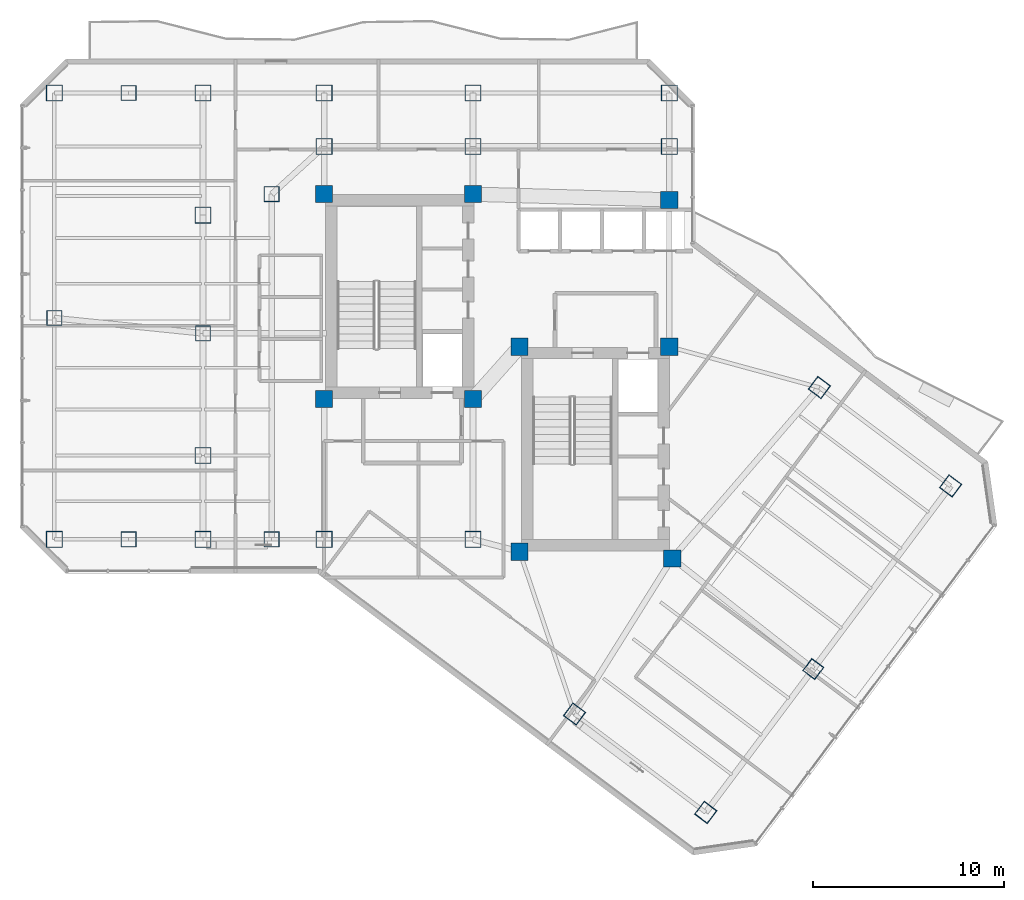
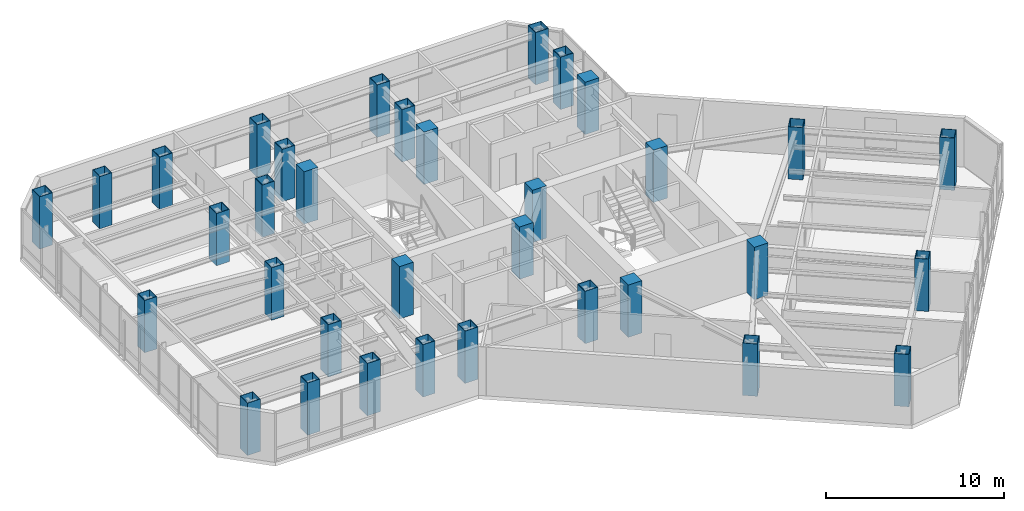
# One storey, part 1 of 28: 34 columns.
"""IFC4 building model written with IfcOpenShell, lengths in metres."""

from ifc_helpers import new_model, si_unit, direction, frame, origin, origin_2d, place, context, subcontext, project, spatial, rectangle, hollow_rectangle, extrude, material, material_profile, profile_set, type_object, element, save


model = new_model("IFC4")

# Units and contexts
model_context = context("Model", 3, precision=1e-05, world=origin(), true_north=direction((0.0, 1.0)))
body_context = subcontext(model_context, "Body", "Model", "MODEL_VIEW")
ifc_project = project(units=[si_unit("LENGTHUNIT", "METRE"), si_unit("AREAUNIT", "SQUARE_METRE"), si_unit("VOLUMEUNIT", "CUBIC_METRE"), si_unit("PLANEANGLEUNIT", "RADIAN"), si_unit("MASSUNIT", "GRAM", prefix="KILO")], contexts=[model_context])

# Site, building, storey
site_placement = place(None, origin())
site = spatial("IfcSite", under=ifc_project, at=site_placement, CompositionType="ELEMENT")
building_placement = place(site_placement, origin())
building = spatial("IfcBuilding", under=site, at=building_placement, Name="Hatsunagi Terrace Concourse", CompositionType="ELEMENT")
storey_placement = place(building_placement, frame((0.0, 0.0, 160.050048828125)))
storey = spatial("IfcBuildingStorey", under=building, at=storey_placement, Name="L42", CompositionType="ELEMENT", Elevation=160.050048828125)

# Columns
ifc_material_1 = material(Name="Concrete Fc48", Category="concrete")
ifc_material_profile_1 = material_profile(ifc_material_1, rectangle(XDim=0.89990234375, YDim=0.89990234375, at=origin_2d()), Name="RC-900x900")
ifc_profile_set_1 = profile_set([ifc_material_profile_1], Name="Concrete Fc48")
column_type_1 = type_object("IfcColumnType", Name="CoreColumn_RC_900x900", PredefinedType="COLUMN", material=ifc_profile_set_1)
for number, where, z_axis, x_axis, name in (
    (1, (25.550048828125, 32.550048828125, 0.0), (0.0, 0.0, 1.0), (1.0, 0.0, 0.0), "Column C-02 L42-CASW"),
    (2, (33.35009765625, 32.550048828125, 0.0), (0.0, 0.0, 1.0), (1.0, 0.0, 0.0), "Column C-02 L42-CASE"),
    (3, (25.550048828125, 43.300048828125, 0.0), (0.0, 0.0, 1.0), (1.0, 0.0, 0.0), "Column C-02 L42-CANW"),
    (4, (33.35009765625, 43.300048828125, 0.0), (0.0, 0.0, 1.0), (1.0, 0.0, 0.0), "Column C-02 L42-CANE"),
    (5, (35.800048828125, 24.550048828125, 0.0), (0.0, 0.0, 1.0), (1.0, 0.0, 0.0), "Column C-02 L42-CBSW"),
    (6, (43.800048828125, 24.199951171875, 0.0), (0.0, 0.0, 1.0), (1.0, 0.0, 0.0), "Column C-02 L42-CBSE"),
    (7, (35.800048828125, 35.300048828125, 0.0), (0.0, 0.0, 1.0), (1.0, 0.0, 0.0), "Column C-02 L42-CBNW"),
    (8, (43.64990234375, 35.300048828125, 0.0), (0.0, 0.0, 1.0), (1.0, 0.0, 0.0), "Column C-02 L42-CBNE"),
    (9, (43.64990234375, 43.0, 0.0), (0.0, 0.0, 1.0), (1.0, 0.0, 0.0), "Column C-02 L42-K3"),
):
    element("IfcColumn", number, at=place(storey_placement, frame(where, z_axis=z_axis, x_axis=x_axis)), inside=storey, type_object=column_type_1, Name=name, PredefinedType="COLUMN", context=body_context, shape_type="SweptSolid", body=[
        extrude(rectangle(XDim=0.89990234375, YDim=0.89990234375, at=origin_2d()), origin(), (0.0, 0.0, 1.0), 3.599853515625),
    ])
ifc_material_2 = material(Name="Steel BCP325T", Category="steel")
ifc_material_profile_2 = material_profile(ifc_material_2, hollow_rectangle(XDim=0.800048828125, YDim=0.800048828125, WallThickness=0.031982421875, at=origin_2d()), Name="BCP-800x800x32")
ifc_profile_set_2 = profile_set([ifc_material_profile_2], Name="Steel BCP325T")
column_type_2 = type_object("IfcColumnType", Name="TowerBoxColumn_800x800x32", PredefinedType="COLUMN", material=ifc_profile_set_2)
for number, where, z_axis, x_axis, name in (
    (10, (22.800048828125, 25.199951171875, 0.0), (0.0, 0.0, 1.0), (1.0, 0.0, 0.0), "Column C-06 L42-CW1"),
    (11, (22.800048828125, 43.300048828125, 0.0), (0.0, 0.0, 1.0), (1.0, 0.0, 0.0), "Column C-06 L42-CW2"),
    (12, (11.39990234375, 36.800048828125, 0.0), (0.0, 0.0, 1.0), (1.0, 0.0, 0.0), "Column C-06 L42-WT1"),
    (13, (19.199951171875, 36.0, 0.0), (0.0, 0.0, 1.0), (1.0, 0.0, 0.0), "Column C-06 L42-WT2"),
    (14, (15.300048828125, 25.199951171875, 0.0), (0.0, 0.0, 1.0), (1.0, 0.0, 0.0), "Column C-06 L42-WT3"),
    (15, (15.300048828125, 48.60009765625, 0.0), (0.0, 0.0, 1.0), (1.0, 0.0, 0.0), "Column C-06 L42-WT4"),
    (16, (51.199951171875, 18.39990234375, 0.0), (0.0, 0.0, 1.0), (0.799999996291, -0.600000004945, 0.0), "Column C-06 L42-SEM2"),
):
    element("IfcColumn", number, at=place(storey_placement, frame(where, z_axis=z_axis, x_axis=x_axis)), inside=storey, type_object=column_type_2, Name=name, PredefinedType="COLUMN", context=body_context, shape_type="SweptSolid", body=[
        extrude(hollow_rectangle(XDim=0.800048828125, YDim=0.800048828125, WallThickness=0.031982421875, at=origin_2d()), origin(), (0.0, 0.0, 1.0), 3.599853515625),
    ])
ifc_material_3 = material(Name="Steel BCP325T", Category="steel")
ifc_material_profile_3 = material_profile(ifc_material_3, hollow_rectangle(XDim=0.85009765625, YDim=0.85009765625, WallThickness=0.031982421875, at=origin_2d()), Name="BCP-850x850x32")
ifc_profile_set_3 = profile_set([ifc_material_profile_3], Name="Steel BCP325T")
column_type_3 = type_object("IfcColumnType", Name="TowerBoxColumn_850x850x32", PredefinedType="COLUMN", material=ifc_profile_set_3)
for number, where, z_axis, x_axis, name in (
    (17, (25.550048828125, 25.199951171875, 0.0), (0.0, 0.0, 1.0), (1.0, 0.0, 0.0), "Column C-05 L42-K1"),
    (18, (33.35009765625, 25.199951171875, 0.0), (0.0, 0.0, 1.0), (1.0, 0.0, 0.0), "Column C-05 L42-K2"),
    (19, (25.550048828125, 45.800048828125, 0.0), (0.0, 0.0, 1.0), (1.0, 0.0, 0.0), "Column C-05 L42-CN1"),
    (20, (33.35009765625, 45.800048828125, 0.0), (0.0, 0.0, 1.0), (1.0, 0.0, 0.0), "Column C-05 L42-CN2"),
    (21, (43.64990234375, 45.800048828125, 0.0), (0.0, 0.0, 1.0), (1.0, 0.0, 0.0), "Column C-05 L42-CN3"),
    (22, (11.39990234375, 25.199951171875, 0.0), (0.0, 0.0, 1.0), (1.0, 0.0, 0.0), "Column C-05 L42-WS2"),
    (23, (11.39990234375, 48.60009765625, 0.0), (0.0, 0.0, 1.0), (1.0, 0.0, 0.0), "Column C-05 L42-WN2"),
    (24, (19.199951171875, 48.60009765625, 0.0), (0.0, 0.0, 1.0), (1.0, 0.0, 0.0), "Column C-05 L42-WN3"),
    (25, (25.550048828125, 48.60009765625, 0.0), (0.0, 0.0, 1.0), (1.0, 0.0, 0.0), "Column C-05 L42-WN4"),
    (26, (33.35009765625, 48.60009765625, 0.0), (0.0, 0.0, 1.0), (1.0, 0.0, 0.0), "Column C-05 L42-WN5"),
    (27, (43.64990234375, 48.60009765625, 0.0), (0.0, 0.0, 1.0), (1.0, 0.0, 0.0), "Column C-05 L42-WN6"),
    (28, (19.199951171875, 25.199951171875, 0.0), (0.0, 0.0, 1.0), (1.0, 0.0, 0.0), "Column C-05 L42-WS3"),
    (29, (19.199951171875, 29.60009765625, 0.0), (0.0, 0.0, 1.0), (1.0, 0.0, 0.0), "Column C-05 L42-WR1"),
    (30, (19.199951171875, 42.199951171875, 0.0), (0.0, 0.0, 1.0), (1.0, 0.0, 0.0), "Column C-05 L42-WR2"),
    (31, (38.679931640625, 16.0400390625, 0.0), (0.0, 0.0, 1.0), (0.799999996291, -0.600000004945, 0.0), "Column C-05 L42-SES1"),
    (32, (51.52001953125, 33.159912109375, 0.0), (0.0, 0.0, 1.0), (0.799999996291, -0.600000004945, 0.0), "Column C-05 L42-SEN1"),
    (33, (45.56005859375, 10.8798828125, 0.0), (0.0, 0.0, 1.0), (0.799999996291, -0.600000004945, 0.0), "Column C-05 L42-SES2"),
    (34, (58.39990234375, 28.0, 0.0), (0.0, 0.0, 1.0), (0.799999996291, -0.600000004945, 0.0), "Column C-05 L42-SEN2"),
):
    element("IfcColumn", number, at=place(storey_placement, frame(where, z_axis=z_axis, x_axis=x_axis)), inside=storey, type_object=column_type_3, Name=name, PredefinedType="COLUMN", context=body_context, shape_type="SweptSolid", body=[
        extrude(hollow_rectangle(XDim=0.85009765625, YDim=0.85009765625, WallThickness=0.031982421875, at=origin_2d()), origin(), (0.0, 0.0, 1.0), 3.599853515625),
    ])

save(model, "model.ifc")
